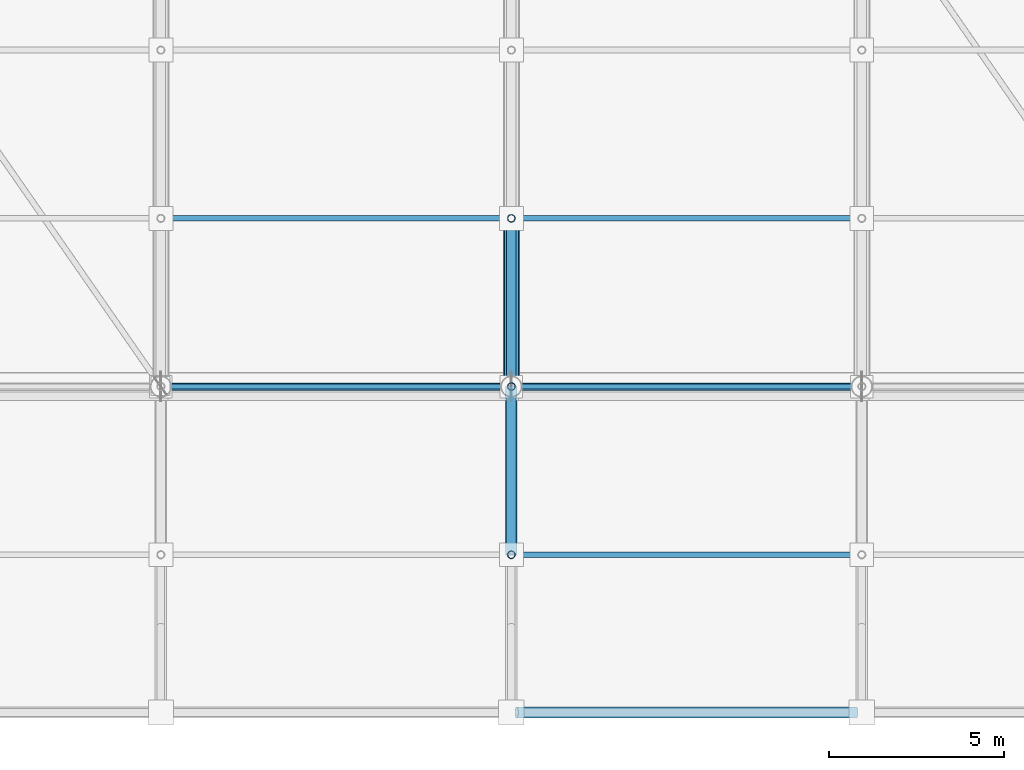
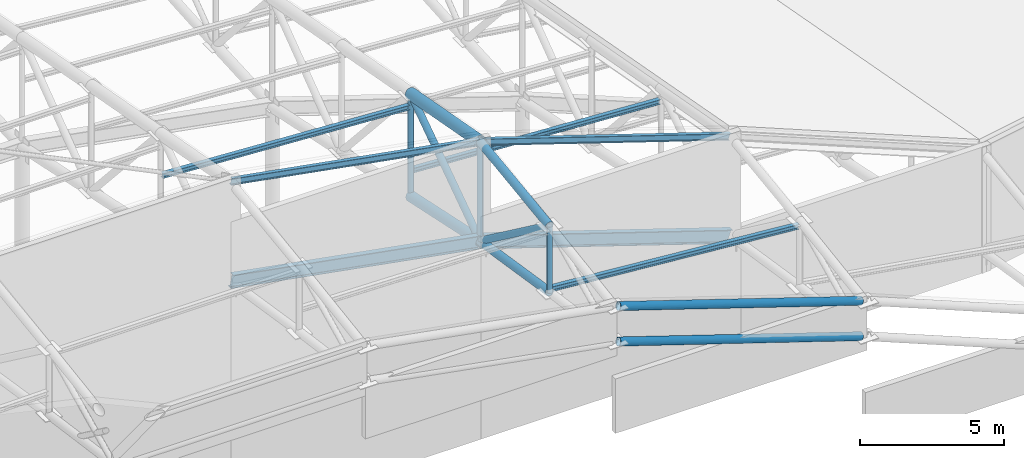
# One storey, part 33 of 146: 14 members, 4 beams.
"""IFC4 building model written with IfcOpenShell, lengths in metres."""

from ifc_helpers import new_model, si_unit, direction, frame, origin, origin_2d, place, context, subcontext, project, spatial, hollow_circle, i_section, extrude, material, material_profile, profile_set, type_object, element, save


model = new_model("IFC4")

# Units and contexts
model_context = context("Model", 3, precision=1e-05, world=origin(), true_north=direction((0.0, 1.0)))
body_context = subcontext(model_context, "Body", "Model", "MODEL_VIEW")
ifc_project = project(units=[si_unit("LENGTHUNIT", "METRE"), si_unit("AREAUNIT", "SQUARE_METRE"), si_unit("VOLUMEUNIT", "CUBIC_METRE"), si_unit("PLANEANGLEUNIT", "RADIAN"), si_unit("MASSUNIT", "GRAM", prefix="KILO")], contexts=[model_context])

# Site, building, storey
site_placement = place(None, origin())
site = spatial("IfcSite", under=ifc_project, at=site_placement, CompositionType="ELEMENT")
building_placement = place(site_placement, origin())
building = spatial("IfcBuilding", under=site, at=building_placement, Name="Candeia Ridge Stadium", CompositionType="ELEMENT")
storey_placement = place(building_placement, frame((0.0, 0.0, 31.800048828125)))
storey = spatial("IfcBuildingStorey", under=building, at=storey_placement, Name="RF", CompositionType="ELEMENT", Elevation=31.800048828125)

# Beams
ifc_material = material(Name="Steel ASTM A572 Grade 50", Category="steel")
ifc_material_profile_1 = material_profile(ifc_material, i_section(OverallWidth=0.14794921875, OverallDepth=0.26611328125, WebThickness=0.007568359375, FlangeThickness=0.012939453125, FilletRadius=0.010986328125, at=origin_2d()), Name="W250x44.8", Category="steel")
ifc_profile_set_1 = profile_set([ifc_material_profile_1], Name="Steel ASTM A572 Grade 50")
beam_type_1 = type_object("IfcBeamType", Name="Canopy Edge Spandrel W250x44.8", PredefinedType="SPANDREL", material=ifc_profile_set_1)
beam_1_placement = place(storey_placement, frame((111.039306640625, 19.0, 13.757080078125), z_axis=(0.983924099588, 0.0, -0.178587139095), x_axis=(0.0, 1.0, 0.0)))
element("IfcBeam", 1, at=beam_1_placement, inside=storey, type_object=beam_type_1, Name="Roof crown cap ring beam bay 23", PredefinedType="SPANDREL", context=body_context, shape_type="SweptSolid", body=[
    extrude(i_section(OverallWidth=0.14794921875, OverallDepth=0.26611328125, WebThickness=0.007568359375, FlangeThickness=0.012939453125, FilletRadius=0.010986328125, at=origin_2d()), origin(), (0.0, 0.0, 1.0), 10.08349609375),
])
beam_2_placement = place(storey_placement, frame((121.0380859375, 19.0, 11.936767578125), z_axis=(0.950452285368, 0.0, -0.310870476628), x_axis=(0.0, 1.0, 0.0)))
element("IfcBeam", 2, at=beam_2_placement, inside=storey, type_object=beam_type_1, Name="Roof crown cap ring beam bay 24", PredefinedType="SPANDREL", context=body_context, shape_type="SweptSolid", body=[
    extrude(i_section(OverallWidth=0.14794921875, OverallDepth=0.26611328125, WebThickness=0.007568359375, FlangeThickness=0.012939453125, FilletRadius=0.010986328125, at=origin_2d()), origin(), (0.0, 0.0, 1.0), 10.441162109375),
])
ifc_material_profile_2 = material_profile(ifc_material, i_section(OverallWidth=0.2119140625, OverallDepth=0.5439453125, WebThickness=0.01318359375, FlangeThickness=0.021240234375, FilletRadius=0.013916015625, at=origin_2d()), Name="W530x123", Category="steel")
ifc_profile_set_2 = profile_set([ifc_material_profile_2], Name="Steel ASTM A572 Grade 50")
beam_type_2 = type_object("IfcBeamType", Name="Roof Perimeter Ring Beam W530x123", PredefinedType="BEAM", material=ifc_profile_set_2)
beam_3_placement = place(storey_placement, frame((111.039306640625, 19.0, 9.55712890625), z_axis=(0.983924099588, 0.0, -0.178587139095), x_axis=(0.0, 1.0, 0.0)))
element("IfcBeam", 3, at=beam_3_placement, inside=storey, type_object=beam_type_2, Name="Roof perimeter ring beam bay 23", PredefinedType="BEAM", context=body_context, shape_type="SweptSolid", body=[
    extrude(i_section(OverallWidth=0.2119140625, OverallDepth=0.5439453125, WebThickness=0.01318359375, FlangeThickness=0.021240234375, FilletRadius=0.013916015625, at=origin_2d()), origin(), (0.0, 0.0, 1.0), 10.08349609375),
])
beam_4_placement = place(storey_placement, frame((121.0380859375, 19.0, 7.73681640625), z_axis=(0.950452285368, 0.0, -0.310870476628), x_axis=(0.0, 1.0, 0.0)))
element("IfcBeam", 4, at=beam_4_placement, inside=storey, type_object=beam_type_2, Name="Roof perimeter ring beam bay 24", PredefinedType="BEAM", context=body_context, shape_type="SweptSolid", body=[
    extrude(i_section(OverallWidth=0.2119140625, OverallDepth=0.5439453125, WebThickness=0.01318359375, FlangeThickness=0.021240234375, FilletRadius=0.013916015625, at=origin_2d()), origin(), (0.0, 0.0, 1.0), 10.441162109375),
])

# Members
ifc_material_profile_3 = material_profile(ifc_material, i_section(OverallWidth=0.1650390625, OverallDepth=0.200927734375, WebThickness=0.006103515625, FlangeThickness=0.01025390625, FilletRadius=0.010009765625, at=origin_2d()), Name="W200x35.9", Category="steel")
ifc_profile_set_3 = profile_set([ifc_material_profile_3], Name="Steel ASTM A572 Grade 50")
member_type_1 = type_object("IfcMemberType", Name="Roof Purlin W200x35.9", PredefinedType="PURLIN", material=ifc_profile_set_3)
for number, where, z_axis, x_axis, name in (
    (5, (111.0498046875, 23.800048828125, 11.098388671875), (0.998435557369, 0.0, -0.055914557871), (0.0, 1.0, 0.0), "Saddle roof steel purlin bay 23-4"),
    (6, (121.0498046875, 23.800048828125, 7.82763671875), (0.998435557369, 0.0, -0.055914557871), (0.0, 1.0, 0.0), "Saddle roof steel purlin bay 24-4"),
):
    element("IfcMember", number, at=place(storey_placement, frame(where, z_axis=z_axis, x_axis=x_axis)), inside=storey, type_object=member_type_1, Name=name, PredefinedType="PURLIN", context=body_context, shape_type="SweptSolid", body=[
        extrude(i_section(OverallWidth=0.1650390625, OverallDepth=0.200927734375, WebThickness=0.006103515625, FlangeThickness=0.01025390625, FilletRadius=0.010009765625, at=origin_2d()), origin(), (0.0, 0.0, 1.0), 9.916015625),
    ])
member_1_placement = place(storey_placement, frame((121.0498046875, 14.199951171875, 8.636962890625), z_axis=(0.996621274205, 0.0, -0.082134254744), x_axis=(0.0, 1.0, 0.0)))
element("IfcMember", 7, at=member_1_placement, inside=storey, type_object=member_type_1, Name="Saddle roof steel purlin bay 24-5", PredefinedType="PURLIN", context=body_context, shape_type="SweptSolid", body=[
    extrude(i_section(OverallWidth=0.1650390625, OverallDepth=0.200927734375, WebThickness=0.006103515625, FlangeThickness=0.01025390625, FilletRadius=0.010009765625, at=origin_2d()), origin(), (0.0, 0.0, 1.0), 9.933837890625),
])
ifc_material_profile_4 = material_profile(ifc_material, hollow_circle(Radius=0.161865234375, WallThickness=0.012451171875, at=origin_2d()), Name="CHS323x12", Category="steel")
ifc_profile_set_4 = profile_set([ifc_material_profile_4], Name="Steel ASTM A572 Grade 50")
member_type_2 = type_object("IfcMemberType", Name="Roof Truss Eaves Chord CHS323x12", PredefinedType="CHORD", material=ifc_profile_set_4)
member_2_placement = place(storey_placement, frame((121.0, 19.0, 11.94921875), z_axis=(0.0, -0.991184698971, -0.132487329683), x_axis=(1.0, 0.0, 0.0)))
element("IfcMember", 8, at=member_2_placement, inside=storey, type_object=member_type_2, Name="Roof cantilever truss RT-24 top chord 7", PredefinedType="CHORD", context=body_context, shape_type="SweptSolid", body=[
    extrude(hollow_circle(Radius=0.161865234375, WallThickness=0.012451171875, at=origin_2d()), origin(), (0.0, 0.0, 1.0), 4.8427734375),
])
member_3_placement = place(storey_placement, frame((121.0, 19.0, 7.749267578125), z_axis=(0.0, -0.987958563397, 0.154718702848), x_axis=(1.0, 0.0, 0.0)))
element("IfcMember", 9, at=member_3_placement, inside=storey, type_object=member_type_2, Name="Roof cantilever truss RT-24 bottom chord 7", PredefinedType="CHORD", context=body_context, shape_type="SweptSolid", body=[
    extrude(hollow_circle(Radius=0.161865234375, WallThickness=0.012451171875, at=origin_2d()), origin(), (0.0, 0.0, 1.0), 4.858642578125),
])
for number, where, z_axis, x_axis, name in (
    (10, (121.152099609375, 9.699951171875, 10.580322265625), (0.950455896445, 0.0, -0.31085943594), (0.0, 1.0, 0.0), "Saddle roof outer eaves top ring chord bay 24"),
    (11, (121.152099609375, 9.699951171875, 9.080322265625), (0.950455896445, 0.0, -0.31085943594), (0.0, 1.0, 0.0), "Saddle roof outer eaves bottom ring chord bay 24"),
):
    element("IfcMember", number, at=place(storey_placement, frame(where, z_axis=z_axis, x_axis=x_axis)), inside=storey, type_object=member_type_2, Name=name, PredefinedType="CHORD", context=body_context, shape_type="SweptSolid", body=[
        extrude(hollow_circle(Radius=0.161865234375, WallThickness=0.012451171875, at=origin_2d()), origin(), (0.0, 0.0, 1.0), 10.201171875),
    ])
ifc_material_profile_5 = material_profile(ifc_material, hollow_circle(Radius=0.136474609375, WallThickness=0.010009765625, at=origin_2d()), Name="CHS273x10", Category="steel")
ifc_profile_set_5 = profile_set([ifc_material_profile_5], Name="Steel ASTM A572 Grade 50")
member_type_3 = type_object("IfcMemberType", Name="Roof Truss Heavy Web Brace CHS273x10", PredefinedType="BRACE", material=ifc_profile_set_5)
member_4_placement = place(storey_placement, frame((121.0, 23.800048828125, 11.06103515625), z_axis=(0.0, -0.823101445803, -0.567894365104), x_axis=(1.0, 0.0, 0.0)))
element("IfcMember", 12, at=member_4_placement, inside=storey, type_object=member_type_3, Name="Roof cantilever truss RT-24 diagonal web 6", PredefinedType="BRACE", context=body_context, shape_type="SweptSolid", body=[
    extrude(hollow_circle(Radius=0.136474609375, WallThickness=0.010009765625, at=origin_2d()), origin(), (0.0, 0.0, 1.0), 5.83154296875),
])
member_5_placement = place(storey_placement, frame((121.0, 19.0, 7.749267578125), z_axis=(0.0, -0.803336374347, 0.595525540721), x_axis=(1.0, 0.0, 0.0)))
element("IfcMember", 13, at=member_5_placement, inside=storey, type_object=member_type_3, Name="Roof cantilever truss RT-24 diagonal web 7", PredefinedType="BRACE", context=body_context, shape_type="SweptSolid", body=[
    extrude(hollow_circle(Radius=0.136474609375, WallThickness=0.010009765625, at=origin_2d()), origin(), (0.0, 0.0, 1.0), 5.97509765625),
])
ifc_material_profile_6 = material_profile(ifc_material, hollow_circle(Radius=0.109619140625, WallThickness=0.010009765625, at=origin_2d()), Name="CHS219x10", Category="steel")
ifc_profile_set_6 = profile_set([ifc_material_profile_6], Name="Steel ASTM A572 Grade 50")
member_type_4 = type_object("IfcMemberType", Name="Roof Truss Inner Web Brace CHS219x10", PredefinedType="BRACE", material=ifc_profile_set_6)
member_6_placement = place(storey_placement, frame((121.0, 23.800048828125, 6.727783203125), z_axis=(0.0, 0.0, 1.0), x_axis=(1.0, 0.0, 0.0)))
element("IfcMember", 14, at=member_6_placement, inside=storey, type_object=member_type_4, Name="Roof cantilever truss RT-24 vertical post 5", PredefinedType="BRACE", context=body_context, shape_type="SweptSolid", body=[
    extrude(hollow_circle(Radius=0.109619140625, WallThickness=0.010009765625, at=origin_2d()), origin(), (0.0, 0.0, 1.0), 4.333251953125),
])
member_7_placement = place(storey_placement, frame((121.0, 19.0, 7.749267578125), z_axis=(0.0, 0.0, 1.0), x_axis=(1.0, 0.0, 0.0)))
element("IfcMember", 15, at=member_7_placement, inside=storey, type_object=member_type_4, Name="Roof cantilever truss RT-24 vertical post 6", PredefinedType="BRACE", context=body_context, shape_type="SweptSolid", body=[
    extrude(hollow_circle(Radius=0.109619140625, WallThickness=0.010009765625, at=origin_2d()), origin(), (0.0, 0.0, 1.0), 4.199951171875),
])
member_8_placement = place(storey_placement, frame((121.0, 14.199951171875, 8.5009765625), z_axis=(0.0, 0.0, 1.0), x_axis=(1.0, 0.0, 0.0)))
element("IfcMember", 16, at=member_8_placement, inside=storey, type_object=member_type_4, Name="Roof cantilever truss RT-24 vertical post 7", PredefinedType="BRACE", context=body_context, shape_type="SweptSolid", body=[
    extrude(hollow_circle(Radius=0.109619140625, WallThickness=0.010009765625, at=origin_2d()), origin(), (0.0, 0.0, 1.0), 2.806640625),
])
ifc_material_profile_7 = material_profile(ifc_material, hollow_circle(Radius=0.228515625, WallThickness=0.02001953125, at=origin_2d()), Name="CHS457x20", Category="steel")
ifc_profile_set_7 = profile_set([ifc_material_profile_7], Name="Steel ASTM A572 Grade 50")
member_type_5 = type_object("IfcMemberType", Name="Roof Truss Main Chord CHS457x20", PredefinedType="CHORD", material=ifc_profile_set_7)
member_9_placement = place(storey_placement, frame((121.0, 23.800048828125, 11.06103515625), z_axis=(0.0, -0.983308195319, 0.181947775524), x_axis=(1.0, 0.0, 0.0)))
element("IfcMember", 17, at=member_9_placement, inside=storey, type_object=member_type_5, Name="Roof cantilever truss RT-24 top chord 6", PredefinedType="CHORD", context=body_context, shape_type="SweptSolid", body=[
    extrude(hollow_circle(Radius=0.228515625, WallThickness=0.02001953125, at=origin_2d()), origin(), (0.0, 0.0, 1.0), 4.881591796875),
])
ifc_material_profile_8 = material_profile(ifc_material, hollow_circle(Radius=0.202880859375, WallThickness=0.01611328125, at=origin_2d()), Name="CHS406x16", Category="steel")
ifc_profile_set_8 = profile_set([ifc_material_profile_8], Name="Steel ASTM A572 Grade 50")
member_type_6 = type_object("IfcMemberType", Name="Roof Truss Outer Chord CHS406x16", PredefinedType="CHORD", material=ifc_profile_set_8)
member_10_placement = place(storey_placement, frame((121.0, 23.800048828125, 6.727783203125), z_axis=(0.0, -0.978097741011, 0.208146124225), x_axis=(1.0, 0.0, 0.0)))
element("IfcMember", 18, at=member_10_placement, inside=storey, type_object=member_type_6, Name="Roof cantilever truss RT-24 bottom chord 6", PredefinedType="CHORD", context=body_context, shape_type="SweptSolid", body=[
    extrude(hollow_circle(Radius=0.202880859375, WallThickness=0.01611328125, at=origin_2d()), origin(), (0.0, 0.0, 1.0), 4.907470703125),
])

save(model, "model.ifc")
